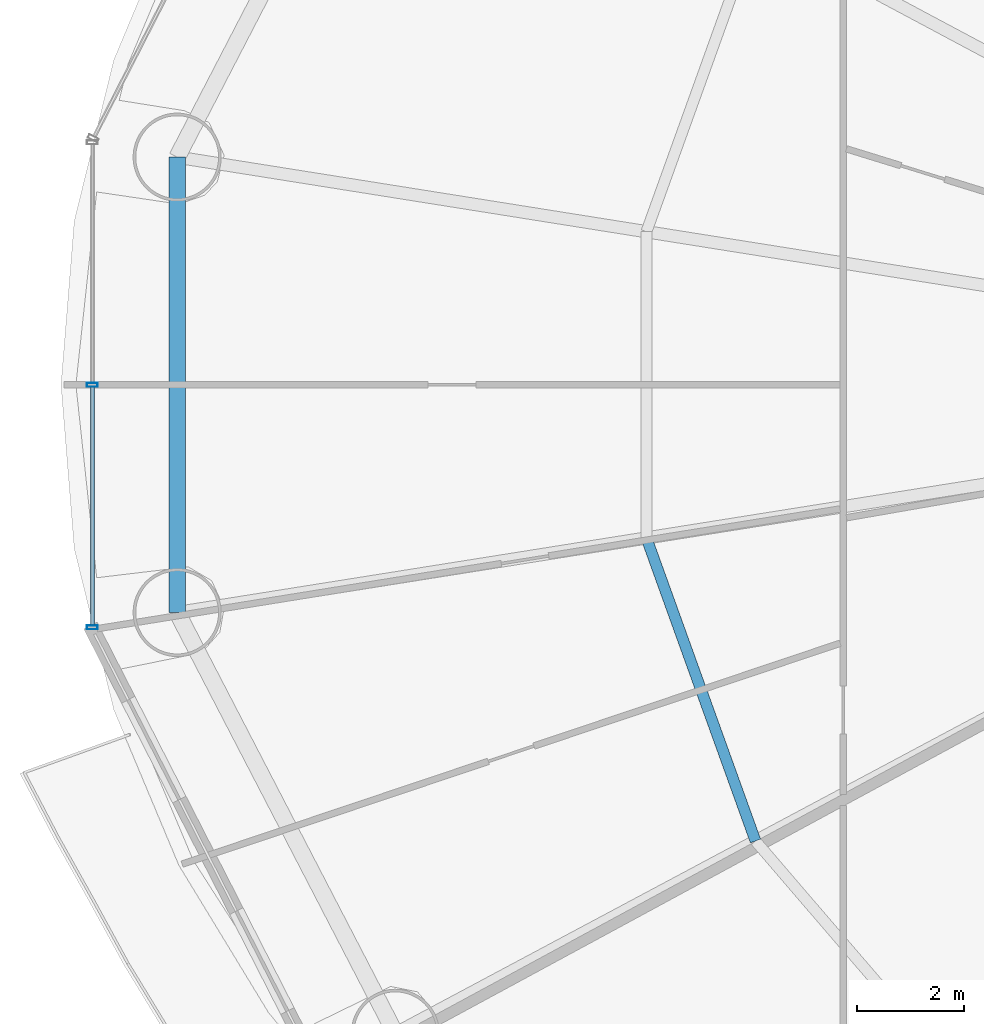
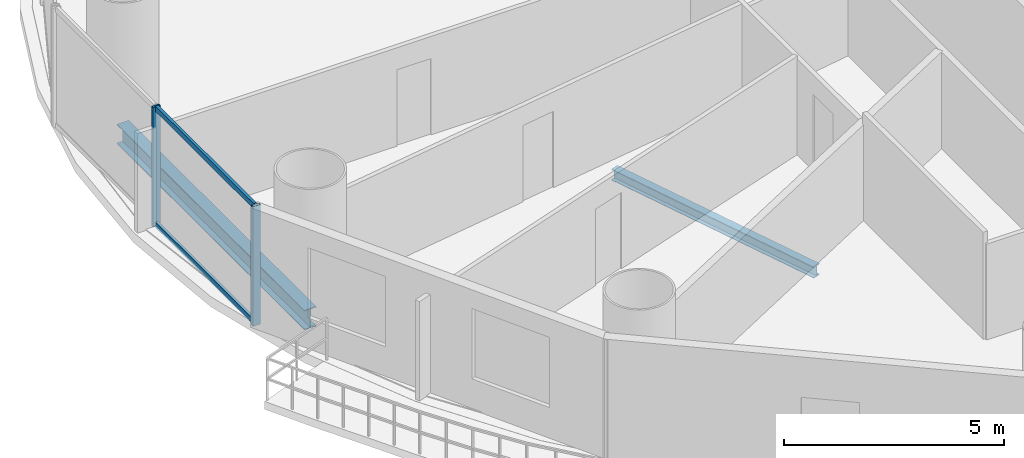
# One storey, part 6 of 29: 4 members, 2 beams, 1 element without a shape of its own.
"""IFC4 building model written with IfcOpenShell, lengths in metres."""

import ifcopenshell
import ifcopenshell.guid

model = None  # the IFC model being written
_history = None  # IfcOwnerHistory: only IFC2X3 demands one
_inside = {}  # id of a spatial element -> (the spatial element, [elements in it])
_under = {}  # id of a project, library or spatial element -> (it, [spatial elements below it])
_declared = {}  # id of a project -> (the project, [libraries it declares])
_typed = {}  # id of a type object -> (the type object, [elements of that type])
_made_of = {}  # id of a material, layer set ... -> (it, [elements and type objects made of it])


def new_model(schema):
    """Start an empty IFC model of exactly this schema.

    Asked for "IFC4X3", IfcOpenShell would pick the latest addendum, in which some entities
    have other attributes; the version numbers below select the first issue.
    IFC2X3 requires an IfcOwnerHistory on every rooted entity: one is made here for all.
    """
    global model, _history
    if schema == "IFC4X3":
        model = ifcopenshell.file(schema_version=(4, 3, 0, 0))
    else:
        model = ifcopenshell.file(schema=schema)
    _inside.clear()
    _under.clear()
    _declared.clear()
    _typed.clear()
    _made_of.clear()
    _history = None
    if model.schema == "IFC2X3":
        org = make("IfcOrganization", Name="unknown")
        user = make(
            "IfcPersonAndOrganization",
            ThePerson=make("IfcPerson", FamilyName="unknown"),
            TheOrganization=org,
        )
        app = make(
            "IfcApplication",
            ApplicationDeveloper=org,
            Version="unknown",
            ApplicationFullName="unknown",
            ApplicationIdentifier="unknown",
        )
        _history = make(
            "IfcOwnerHistory",
            OwningUser=user,
            OwningApplication=app,
            ChangeAction="ADDED",
            CreationDate=0,
        )
    return model


def make(cls, **values):
    """One entity of the class cls with the attributes given. An attribute that is None is left unset."""
    return model.create_entity(
        cls, **{name: value for name, value in values.items() if value is not None}
    )


def rooted(cls, **values):
    """An entity with a GlobalId (a new one), such as an element, a storey or a relation."""
    return make(cls, GlobalId=ifcopenshell.guid.new(), OwnerHistory=_history, **values)


def si_unit(unit_type, name, prefix=None):
    """IfcSIUnit, for example si_unit("LENGTHUNIT", "METRE", prefix="MILLI")."""
    return make("IfcSIUnit", UnitType=unit_type, Prefix=prefix, Name=name)


def assignment(units):
    """IfcUnitAssignment: the units of a project."""
    return None if units is None else make("IfcUnitAssignment", Units=units)


def point(xyz):
    """IfcCartesianPoint."""
    return None if xyz is None else make("IfcCartesianPoint", Coordinates=xyz)


def direction(xyz):
    """IfcDirection."""
    return None if xyz is None else make("IfcDirection", DirectionRatios=xyz)


def frame(location, z_axis=None, x_axis=None):
    """IfcAxis2Placement3D, a coordinate frame: its origin and axes. An axis left out is left unset."""
    return make(
        "IfcAxis2Placement3D",
        Location=point(location),
        Axis=direction(z_axis),
        RefDirection=direction(x_axis),
    )


def frame_2d(location, x_axis=None):
    """IfcAxis2Placement2D, a coordinate frame in the plane: its origin and x axis."""
    return make(
        "IfcAxis2Placement2D", Location=point(location), RefDirection=direction(x_axis)
    )


def origin():
    """The frame at (0, 0, 0) with its axes left unset."""
    return frame((0.0, 0.0, 0.0))


def origin_2d():
    """The frame at (0, 0) in the plane with its x axis left unset."""
    return frame_2d((0.0, 0.0))


def place(relative_to, where):
    """IfcLocalPlacement: puts the frame where relative to a parent placement (None: the world)."""
    return make(
        "IfcLocalPlacement", PlacementRelTo=relative_to, RelativePlacement=where
    )


def context(
    kind, dimensions, precision=None, world=None, true_north=None, identifier=None
):
    """IfcGeometricRepresentationContext, for example the 3D "Model" context."""
    return make(
        "IfcGeometricRepresentationContext",
        ContextIdentifier=identifier,
        ContextType=kind,
        CoordinateSpaceDimension=dimensions,
        Precision=precision,
        WorldCoordinateSystem=world,
        TrueNorth=true_north,
    )


def subcontext(parent, identifier, kind, view, scale=None):
    """IfcGeometricRepresentationSubContext, for example "Body" below "Model"."""
    return make(
        "IfcGeometricRepresentationSubContext",
        ContextIdentifier=identifier,
        ContextType=kind,
        ParentContext=parent,
        TargetScale=scale,
        TargetView=view,
    )


def project(units=None, contexts=None):
    """IfcProject with its units and contexts."""
    return rooted(
        "IfcProject",
        Name="project",
        RepresentationContexts=contexts,
        UnitsInContext=assignment(units),
    )


def spatial(cls, under=None, at=None, **own):
    """A site, building, storey or space (cls), placed at a placement, below another one or the project."""
    s = rooted(cls, ObjectPlacement=at, **own)
    if under is not None:
        _under.setdefault(under.id(), (under, []))[1].append(s)
    return s


def profile(cls, at=None, kind="AREA", **sizes):
    """A parametric profile (cls). Its sizes go by their IFC names, for example OverallWidth=200.0."""
    return make(cls, ProfileType=kind, Position=at, **sizes)


def hollow_rectangle(**sizes):
    """IfcRectangleHollowProfileDef."""
    return profile("IfcRectangleHollowProfileDef", **sizes)


def i_section(**sizes):
    """IfcIShapeProfileDef."""
    return profile("IfcIShapeProfileDef", **sizes)


def extrude(swept, where, along, depth):
    """IfcExtrudedAreaSolid: the profile swept, set in the frame where, extruded along a direction by depth."""
    return make(
        "IfcExtrudedAreaSolid",
        SweptArea=swept,
        Position=where,
        ExtrudedDirection=direction(along),
        Depth=depth,
    )


def shape(context_of_items, identifier, shape_type, items):
    """IfcShapeRepresentation: the items that make up one representation, for example the "Body"."""
    return make(
        "IfcShapeRepresentation",
        ContextOfItems=context_of_items,
        RepresentationIdentifier=identifier,
        RepresentationType=shape_type,
        Items=items,
    )


def source(mapping_origin, context_of_items, identifier, shape_type, items):
    """IfcRepresentationMap: a shape defined once, which mapped items show again and again."""
    return make(
        "IfcRepresentationMap",
        MappingOrigin=mapping_origin,
        MappedRepresentation=shape(context_of_items, identifier, shape_type, items),
    )


def transform(
    local_origin,
    x_axis=None,
    y_axis=None,
    z_axis=None,
    scale=None,
    scale2=None,
    scale3=None,
    uniform=True,
):
    """IfcCartesianTransformationOperator3D, or its non-uniform kind. x_axis, y_axis, z_axis: its Axis1, 2, 3."""
    if uniform:
        return make(
            "IfcCartesianTransformationOperator3D",
            Axis1=direction(x_axis),
            Axis2=direction(y_axis),
            LocalOrigin=point(local_origin),
            Scale=scale,
            Axis3=direction(z_axis),
        )
    return make(
        "IfcCartesianTransformationOperator3DnonUniform",
        Axis1=direction(x_axis),
        Axis2=direction(y_axis),
        LocalOrigin=point(local_origin),
        Scale=scale,
        Axis3=direction(z_axis),
        Scale2=scale2,
        Scale3=scale3,
    )


def mapped(mapping_source, mapping_target):
    """IfcMappedItem: shows the shape of a source again, moved by a transform."""
    return make(
        "IfcMappedItem", MappingSource=mapping_source, MappingTarget=mapping_target
    )


def material(Name=None, Category=None):
    """IfcMaterial."""
    return make("IfcMaterial", Name=Name, Category=Category)


def material_profile(
    of_material, cross_section, Name=None, Category=None, Priority=None
):
    """IfcMaterialProfile: a cross section and its material."""
    return make(
        "IfcMaterialProfile",
        Name=Name,
        Material=of_material,
        Profile=cross_section,
        Priority=Priority,
        Category=Category,
    )


def profile_set(profiles, Name=None, composite=None):
    """IfcMaterialProfileSet."""
    return make(
        "IfcMaterialProfileSet",
        Name=Name,
        MaterialProfiles=profiles,
        CompositeProfile=composite,
    )


def made_of(thing, what):
    """Note that an element or type object is made of a material, layer set ...; save() writes the relation."""
    if what is not None:
        _made_of.setdefault(what.id(), (what, []))[1].append(thing)
    return thing


def type_object(cls, material=None, **own):
    """A type object (cls), such as IfcWallType, which elements share."""
    return made_of(rooted(cls, **own), material)


def element(
    cls,
    number,
    at=None,
    inside=None,
    cuts=None,
    type_object=None,
    material=None,
    context=None,
    identifier="Body",
    shape_type=None,
    held_by="IfcProductDefinitionShape",
    body=None,
    shapes=None,
    **own,
):
    """One element of the class cls, such as IfcWall. Its Tag is "e" and its number.

    at: its placement. inside: the storey or other place that contains it. cuts: it is an
    opening in that element (IfcRelVoidsElement). A single representation is given by context,
    identifier, shape_type and body (its items); several are given by shapes. held_by: the class
    of the entity that holds the representations. save() writes the other relations.
    """
    e = rooted(cls, Tag="e%d" % number, ObjectPlacement=at, **own)
    if body is not None:
        shapes = [shape(context, identifier, shape_type, body)]
    if shapes is not None:
        e.Representation = make(held_by, Representations=shapes)
    if inside is not None:
        _inside.setdefault(inside.id(), (inside, []))[1].append(e)
    if cuts is not None:
        rooted(
            "IfcRelVoidsElement", RelatingBuildingElement=cuts, RelatedOpeningElement=e
        )
    if type_object is not None:
        _typed.setdefault(type_object.id(), (type_object, []))[1].append(e)
    return made_of(e, material)


def aggregate(whole, parts):
    """IfcRelAggregates: a whole, such as a stair, and the parts it consists of."""
    return rooted("IfcRelAggregates", RelatingObject=whole, RelatedObjects=parts)


def save(model, path):
    """Write the relations noted so far, then the file.

    IfcRelAggregates (storeys below a building ...), IfcRelContainedInSpatialStructure (elements
    in a storey), IfcRelDefinesByType, IfcRelAssociatesMaterial and IfcRelDeclares: one each for
    every whole, place, type object, material and project.
    """
    for whole, parts in _under.values():
        aggregate(whole, parts)
    for where, things in _inside.values():
        rooted(
            "IfcRelContainedInSpatialStructure",
            RelatedElements=things,
            RelatingStructure=where,
        )
    for kind, things in _typed.values():
        rooted("IfcRelDefinesByType", RelatedObjects=things, RelatingType=kind)
    for what, things in _made_of.values():
        rooted("IfcRelAssociatesMaterial", RelatedObjects=things, RelatingMaterial=what)
    for by, libraries in _declared.values():
        rooted("IfcRelDeclares", RelatingContext=by, RelatedDefinitions=libraries)
    model.write(path)


model = new_model("IFC4")

# Units and contexts
model_context = context("Model", 3, precision=1e-05, world=origin(), true_north=direction((-0.2419218956, 0.970295726276)))
body_context = subcontext(model_context, "Body", "Model", "MODEL_VIEW")
ifc_project = project(units=[si_unit("LENGTHUNIT", "METRE"), si_unit("AREAUNIT", "SQUARE_METRE"), si_unit("VOLUMEUNIT", "CUBIC_METRE"), si_unit("PLANEANGLEUNIT", "RADIAN"), si_unit("MASSUNIT", "GRAM", prefix="KILO")], contexts=[model_context])

# Site, building, storey
site_placement = place(None, origin())
site = spatial("IfcSite", under=ifc_project, at=site_placement, CompositionType="ELEMENT")
building_placement = place(site_placement, origin())
building = spatial("IfcBuilding", under=site, at=building_placement, Name="Cobrevalo Terracotta Tower", CompositionType="ELEMENT")
storey_placement = place(building_placement, frame((0.0, 0.0, 67.199951171875)))
storey = spatial("IfcBuildingStorey", under=building, at=storey_placement, Name="L17", CompositionType="ELEMENT", Elevation=67.199951171875)

# Beams
ifc_material_1 = material(Name="Steel S355", Category="steel")
ifc_material_profile_1 = material_profile(ifc_material_1, i_section(OverallWidth=0.2041015625, OverallDepth=0.305908203125, WebThickness=0.008544921875, FlangeThickness=0.0146484375, at=origin_2d()), Name="W 310x67")
ifc_profile_set_1 = profile_set([ifc_material_profile_1], Name="Steel S355")
beam_type_1 = type_object("IfcBeamType", Name="Structural Joist W 310x67 (Steel S355)", PredefinedType="JOIST", material=ifc_profile_set_1)
beam_1_placement = place(storey_placement, frame((19.960205078125, 23.933349609375, -0.432861328125), z_axis=(0.338672151116, -0.940904444701, 0.0), x_axis=(0.940904444701, 0.338672151116, 0.0)))
element("IfcBeam", 1, at=beam_1_placement, inside=storey, type_object=beam_type_1, Name="L17 circumferential secondary floor joist 09", PredefinedType="JOIST", context=body_context, shape_type="SweptSolid", body=[
    extrude(i_section(OverallWidth=0.2041015625, OverallDepth=0.305908203125, WebThickness=0.008544921875, FlangeThickness=0.0146484375, at=origin_2d()), origin(), (0.0, 0.0, 1.0), 6.029296875),
])
ifc_material_profile_2 = material_profile(ifc_material_1, i_section(OverallWidth=0.31201171875, OverallDepth=0.54296875, WebThickness=0.0126953125, FlangeThickness=0.020263671875, at=origin_2d()), Name="W 530x150")
ifc_profile_set_2 = profile_set([ifc_material_profile_2], Name="Steel S355")
beam_type_2 = type_object("IfcBeamType", Name="Structural Spandrel W 530x150 (Steel S355)", PredefinedType="SPANDREL", material=ifc_profile_set_2)
beam_2_placement = place(storey_placement, frame((11.175537109375, 31.062744140625, -0.551513671875), z_axis=(0.0, -1.0, 0.0), x_axis=(1.0, 0.0, 0.0)))
element("IfcBeam", 2, at=beam_2_placement, inside=storey, type_object=beam_type_2, Name="L17 perimeter ring spandrel 08", PredefinedType="SPANDREL", context=body_context, shape_type="SweptSolid", body=[
    extrude(i_section(OverallWidth=0.31201171875, OverallDepth=0.54296875, WebThickness=0.0126953125, FlangeThickness=0.020263671875, at=origin_2d()), origin(), (0.0, 0.0, 1.0), 8.525390625),
])

# Curtain wall, members
ifc_material_2 = material(Name="Anodized aluminium", Category="aluminium")
curtain_wall_type = type_object("IfcCurtainWallType", Name="Lower-tower unitised acoustic low-E curtain wall CW-U1", PredefinedType="NOTDEFINED", material=ifc_material_2)
curtain_wall_placement = place(storey_placement, origin())
curtain_wall = element("IfcCurtainWall", 3, at=curtain_wall_placement, inside=storey, type_object=curtain_wall_type, Name="L17 curtain wall CW-L17-S08", PredefinedType="NOTDEFINED")
ifc_material_profile_3 = material_profile(ifc_material_2, hollow_rectangle(XDim=0.074951171875, YDim=0.199951171875, WallThickness=0.0048828125, at=origin_2d()), Name="CWM 75x200")
ifc_profile_set_3 = profile_set([ifc_material_profile_3], Name="Anodized aluminium")
member_type_1 = type_object("IfcMemberType", Name="Lower/mid tower unitised mullion 75x200", PredefinedType="MULLION", material=ifc_profile_set_3)
shared_shape_1 = source(origin(), body_context, "Body", "SweptSolid", [
    extrude(hollow_rectangle(XDim=0.074951171875, YDim=0.199951171875, WallThickness=0.0048828125, at=origin_2d()), origin(), (0.0, 0.0, 1.0), 3.320068359375),
])
member_1_placement = place(storey_placement, frame((9.586669921875, 26.800048828125, 0.0), z_axis=(0.0, 0.0, 1.0), x_axis=(0.0, -1.0, 0.0)))
member_1 = element("IfcMember", 4, at=member_1_placement, type_object=member_type_1, Name="CW-L17-S08 vertical mullion 02", PredefinedType="MULLION", context=body_context, shape_type="MappedRepresentation", body=[
    mapped(shared_shape_1, transform((0.0, 0.0, 0.0), scale=1.0)),
])
member_2_placement = place(storey_placement, frame((9.586669921875, 22.26123046875, 0.0), z_axis=(0.0, 0.0, 1.0), x_axis=(0.0, -1.0, 0.0)))
member_2 = element("IfcMember", 5, at=member_2_placement, type_object=member_type_1, Name="CW-L17-S08 vertical mullion 03", PredefinedType="MULLION", context=body_context, shape_type="MappedRepresentation", body=[
    mapped(shared_shape_1, transform((0.0, 0.0, 0.0), scale=1.0)),
])
ifc_material_profile_4 = material_profile(ifc_material_2, hollow_rectangle(XDim=0.074951171875, YDim=0.14990234375, WallThickness=0.00439453125, at=origin_2d()), Name="CWT 75x150")
ifc_profile_set_4 = profile_set([ifc_material_profile_4], Name="Anodized aluminium")
member_type_2 = type_object("IfcMemberType", Name="Tower unitised aluminium transom 75x150", PredefinedType="USERDEFINED", material=ifc_profile_set_4)
shared_shape_2 = source(origin(), body_context, "Body", "SweptSolid", [
    extrude(hollow_rectangle(XDim=0.074951171875, YDim=0.14990234375, WallThickness=0.00439453125, at=origin_2d()), origin(), (0.0, 0.0, 1.0), 4.458740234375),
])
member_3_placement = place(storey_placement, frame((9.586669921875, 26.760009765625, 0.050048828125), z_axis=(0.0, -1.0, 0.0), x_axis=(1.0, 0.0, 0.0)))
member_3 = element("IfcMember", 6, at=member_3_placement, type_object=member_type_2, Name="CW-L17-S08 transom B02-T1", ObjectType="TRANSOM", PredefinedType="USERDEFINED", context=body_context, shape_type="MappedRepresentation", body=[
    mapped(shared_shape_2, transform((0.0, 0.0, 0.0), scale=1.0)),
])
member_4_placement = place(storey_placement, frame((9.586669921875, 26.760009765625, 3.27001953125), z_axis=(0.0, -1.0, 0.0), x_axis=(1.0, 0.0, 0.0)))
member_4 = element("IfcMember", 7, at=member_4_placement, type_object=member_type_2, Name="CW-L17-S08 transom B02-T2", ObjectType="TRANSOM", PredefinedType="USERDEFINED", context=body_context, shape_type="MappedRepresentation", body=[
    mapped(shared_shape_2, transform((0.0, 0.0, 0.0), scale=1.0)),
])
aggregate(curtain_wall, [member_1, member_2, member_3, member_4])

save(model, "model.ifc")
